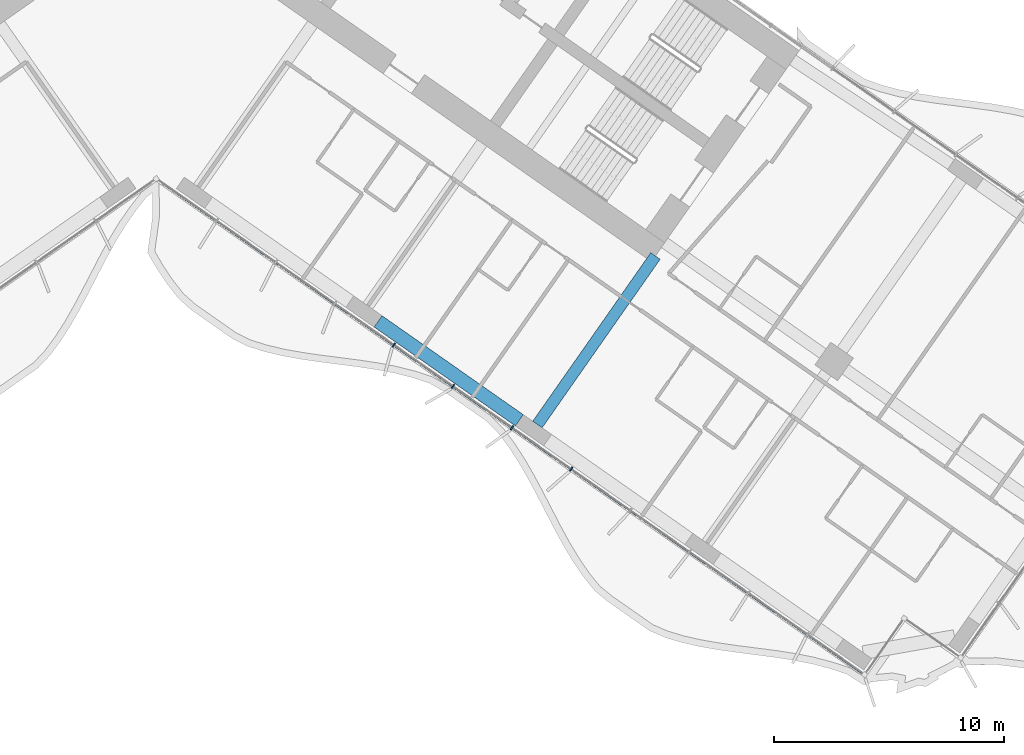
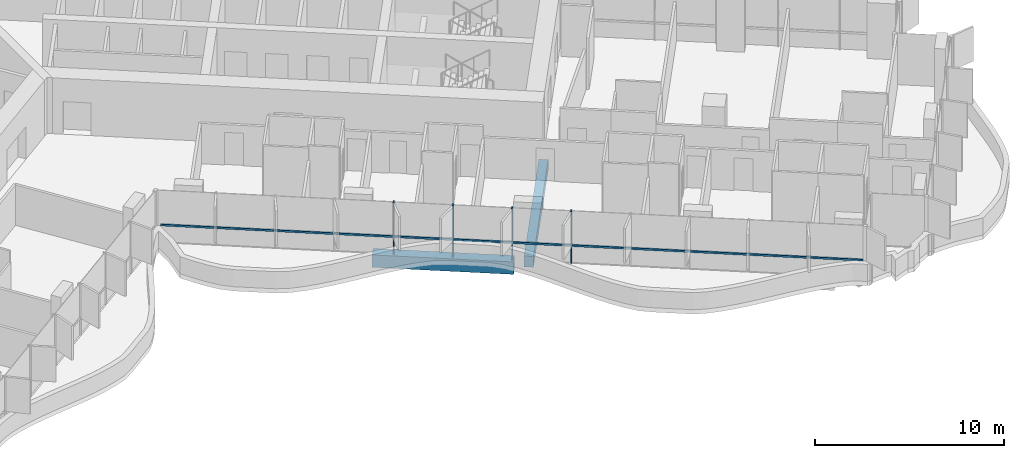
# One storey, part 5 of 24: 5 members, 2 beams, 1 element without a shape of its own.
"""IFC4 building model written with IfcOpenShell, lengths in metres."""

import ifcopenshell
import ifcopenshell.guid

model = None  # the IFC model being written
_history = None  # IfcOwnerHistory: only IFC2X3 demands one
_inside = {}  # id of a spatial element -> (the spatial element, [elements in it])
_under = {}  # id of a project, library or spatial element -> (it, [spatial elements below it])
_declared = {}  # id of a project -> (the project, [libraries it declares])
_typed = {}  # id of a type object -> (the type object, [elements of that type])
_made_of = {}  # id of a material, layer set ... -> (it, [elements and type objects made of it])


def new_model(schema):
    """Start an empty IFC model of exactly this schema.

    Asked for "IFC4X3", IfcOpenShell would pick the latest addendum, in which some entities
    have other attributes; the version numbers below select the first issue.
    IFC2X3 requires an IfcOwnerHistory on every rooted entity: one is made here for all.
    """
    global model, _history
    if schema == "IFC4X3":
        model = ifcopenshell.file(schema_version=(4, 3, 0, 0))
    else:
        model = ifcopenshell.file(schema=schema)
    _inside.clear()
    _under.clear()
    _declared.clear()
    _typed.clear()
    _made_of.clear()
    _history = None
    if model.schema == "IFC2X3":
        org = make("IfcOrganization", Name="unknown")
        user = make(
            "IfcPersonAndOrganization",
            ThePerson=make("IfcPerson", FamilyName="unknown"),
            TheOrganization=org,
        )
        app = make(
            "IfcApplication",
            ApplicationDeveloper=org,
            Version="unknown",
            ApplicationFullName="unknown",
            ApplicationIdentifier="unknown",
        )
        _history = make(
            "IfcOwnerHistory",
            OwningUser=user,
            OwningApplication=app,
            ChangeAction="ADDED",
            CreationDate=0,
        )
    return model


def make(cls, **values):
    """One entity of the class cls with the attributes given. An attribute that is None is left unset."""
    return model.create_entity(
        cls, **{name: value for name, value in values.items() if value is not None}
    )


def rooted(cls, **values):
    """An entity with a GlobalId (a new one), such as an element, a storey or a relation."""
    return make(cls, GlobalId=ifcopenshell.guid.new(), OwnerHistory=_history, **values)


def si_unit(unit_type, name, prefix=None):
    """IfcSIUnit, for example si_unit("LENGTHUNIT", "METRE", prefix="MILLI")."""
    return make("IfcSIUnit", UnitType=unit_type, Prefix=prefix, Name=name)


def assignment(units):
    """IfcUnitAssignment: the units of a project."""
    return None if units is None else make("IfcUnitAssignment", Units=units)


def point(xyz):
    """IfcCartesianPoint."""
    return None if xyz is None else make("IfcCartesianPoint", Coordinates=xyz)


def direction(xyz):
    """IfcDirection."""
    return None if xyz is None else make("IfcDirection", DirectionRatios=xyz)


def frame(location, z_axis=None, x_axis=None):
    """IfcAxis2Placement3D, a coordinate frame: its origin and axes. An axis left out is left unset."""
    return make(
        "IfcAxis2Placement3D",
        Location=point(location),
        Axis=direction(z_axis),
        RefDirection=direction(x_axis),
    )


def frame_2d(location, x_axis=None):
    """IfcAxis2Placement2D, a coordinate frame in the plane: its origin and x axis."""
    return make(
        "IfcAxis2Placement2D", Location=point(location), RefDirection=direction(x_axis)
    )


def origin():
    """The frame at (0, 0, 0) with its axes left unset."""
    return frame((0.0, 0.0, 0.0))


def origin_2d():
    """The frame at (0, 0) in the plane with its x axis left unset."""
    return frame_2d((0.0, 0.0))


def place(relative_to, where):
    """IfcLocalPlacement: puts the frame where relative to a parent placement (None: the world)."""
    return make(
        "IfcLocalPlacement", PlacementRelTo=relative_to, RelativePlacement=where
    )


def context(
    kind, dimensions, precision=None, world=None, true_north=None, identifier=None
):
    """IfcGeometricRepresentationContext, for example the 3D "Model" context."""
    return make(
        "IfcGeometricRepresentationContext",
        ContextIdentifier=identifier,
        ContextType=kind,
        CoordinateSpaceDimension=dimensions,
        Precision=precision,
        WorldCoordinateSystem=world,
        TrueNorth=true_north,
    )


def subcontext(parent, identifier, kind, view, scale=None):
    """IfcGeometricRepresentationSubContext, for example "Body" below "Model"."""
    return make(
        "IfcGeometricRepresentationSubContext",
        ContextIdentifier=identifier,
        ContextType=kind,
        ParentContext=parent,
        TargetScale=scale,
        TargetView=view,
    )


def project(units=None, contexts=None):
    """IfcProject with its units and contexts."""
    return rooted(
        "IfcProject",
        Name="project",
        RepresentationContexts=contexts,
        UnitsInContext=assignment(units),
    )


def spatial(cls, under=None, at=None, **own):
    """A site, building, storey or space (cls), placed at a placement, below another one or the project."""
    s = rooted(cls, ObjectPlacement=at, **own)
    if under is not None:
        _under.setdefault(under.id(), (under, []))[1].append(s)
    return s


def profile(cls, at=None, kind="AREA", **sizes):
    """A parametric profile (cls). Its sizes go by their IFC names, for example OverallWidth=200.0."""
    return make(cls, ProfileType=kind, Position=at, **sizes)


def rectangle(**sizes):
    """IfcRectangleProfileDef."""
    return profile("IfcRectangleProfileDef", **sizes)


def extrude(swept, where, along, depth):
    """IfcExtrudedAreaSolid: the profile swept, set in the frame where, extruded along a direction by depth."""
    return make(
        "IfcExtrudedAreaSolid",
        SweptArea=swept,
        Position=where,
        ExtrudedDirection=direction(along),
        Depth=depth,
    )


def shape(context_of_items, identifier, shape_type, items):
    """IfcShapeRepresentation: the items that make up one representation, for example the "Body"."""
    return make(
        "IfcShapeRepresentation",
        ContextOfItems=context_of_items,
        RepresentationIdentifier=identifier,
        RepresentationType=shape_type,
        Items=items,
    )


def material(Name=None, Category=None):
    """IfcMaterial."""
    return make("IfcMaterial", Name=Name, Category=Category)


def material_profile(
    of_material, cross_section, Name=None, Category=None, Priority=None
):
    """IfcMaterialProfile: a cross section and its material."""
    return make(
        "IfcMaterialProfile",
        Name=Name,
        Material=of_material,
        Profile=cross_section,
        Priority=Priority,
        Category=Category,
    )


def profile_set(profiles, Name=None, composite=None):
    """IfcMaterialProfileSet."""
    return make(
        "IfcMaterialProfileSet",
        Name=Name,
        MaterialProfiles=profiles,
        CompositeProfile=composite,
    )


def made_of(thing, what):
    """Note that an element or type object is made of a material, layer set ...; save() writes the relation."""
    if what is not None:
        _made_of.setdefault(what.id(), (what, []))[1].append(thing)
    return thing


def type_object(cls, material=None, **own):
    """A type object (cls), such as IfcWallType, which elements share."""
    return made_of(rooted(cls, **own), material)


def element(
    cls,
    number,
    at=None,
    inside=None,
    cuts=None,
    type_object=None,
    material=None,
    context=None,
    identifier="Body",
    shape_type=None,
    held_by="IfcProductDefinitionShape",
    body=None,
    shapes=None,
    **own,
):
    """One element of the class cls, such as IfcWall. Its Tag is "e" and its number.

    at: its placement. inside: the storey or other place that contains it. cuts: it is an
    opening in that element (IfcRelVoidsElement). A single representation is given by context,
    identifier, shape_type and body (its items); several are given by shapes. held_by: the class
    of the entity that holds the representations. save() writes the other relations.
    """
    e = rooted(cls, Tag="e%d" % number, ObjectPlacement=at, **own)
    if body is not None:
        shapes = [shape(context, identifier, shape_type, body)]
    if shapes is not None:
        e.Representation = make(held_by, Representations=shapes)
    if inside is not None:
        _inside.setdefault(inside.id(), (inside, []))[1].append(e)
    if cuts is not None:
        rooted(
            "IfcRelVoidsElement", RelatingBuildingElement=cuts, RelatedOpeningElement=e
        )
    if type_object is not None:
        _typed.setdefault(type_object.id(), (type_object, []))[1].append(e)
    return made_of(e, material)


def aggregate(whole, parts):
    """IfcRelAggregates: a whole, such as a stair, and the parts it consists of."""
    return rooted("IfcRelAggregates", RelatingObject=whole, RelatedObjects=parts)


def save(model, path):
    """Write the relations noted so far, then the file.

    IfcRelAggregates (storeys below a building ...), IfcRelContainedInSpatialStructure (elements
    in a storey), IfcRelDefinesByType, IfcRelAssociatesMaterial and IfcRelDeclares: one each for
    every whole, place, type object, material and project.
    """
    for whole, parts in _under.values():
        aggregate(whole, parts)
    for where, things in _inside.values():
        rooted(
            "IfcRelContainedInSpatialStructure",
            RelatedElements=things,
            RelatingStructure=where,
        )
    for kind, things in _typed.values():
        rooted("IfcRelDefinesByType", RelatedObjects=things, RelatingType=kind)
    for what, things in _made_of.values():
        rooted("IfcRelAssociatesMaterial", RelatedObjects=things, RelatingMaterial=what)
    for by, libraries in _declared.values():
        rooted("IfcRelDeclares", RelatingContext=by, RelatedDefinitions=libraries)
    model.write(path)


model = new_model("IFC4")

# Units and contexts
model_context = context("Model", 3, precision=1e-05, world=origin(), true_north=direction((0.0, 1.0)))
body_context = subcontext(model_context, "Body", "Model", "MODEL_VIEW")
ifc_project = project(units=[si_unit("LENGTHUNIT", "METRE"), si_unit("AREAUNIT", "SQUARE_METRE"), si_unit("VOLUMEUNIT", "CUBIC_METRE"), si_unit("PLANEANGLEUNIT", "RADIAN"), si_unit("MASSUNIT", "GRAM", prefix="KILO")], contexts=[model_context])

# Site, building, storey
site_placement = place(None, origin())
site = spatial("IfcSite", under=ifc_project, at=site_placement, CompositionType="ELEMENT")
building_placement = place(site_placement, origin())
building = spatial("IfcBuilding", under=site, at=building_placement, Name="Tel Ilan Convention Tower", CompositionType="ELEMENT")
storey_placement = place(building_placement, frame((0.0, 0.0, 68.89990234375)))
storey = spatial("IfcBuildingStorey", under=building, at=storey_placement, Name="L12", CompositionType="ELEMENT", Elevation=68.89990234375)

# Beams
ifc_material_1 = material(Name="Concrete C40/50", Category="concrete")
ifc_material_profile_1 = material_profile(ifc_material_1, rectangle(XDim=0.5, YDim=0.699951171875, at=origin_2d()), Name="RC 500x700")
ifc_profile_set_1 = profile_set([ifc_material_profile_1], Name="Concrete C40/50")
beam_type_1 = type_object("IfcBeamType", Name="Beam RC 500x700 Concrete C40/50", PredefinedType="BEAM", material=ifc_profile_set_1)
beam_1_placement = place(storey_placement, frame((16.58203125, -23.391357421875, -0.6298828125), z_axis=(0.573584999642, 0.819146048141, 0.0), x_axis=(-0.819146048141, 0.573584999642, 0.0)))
element("IfcBeam", 1, at=beam_1_placement, inside=storey, type_object=beam_type_1, Name="L12 beam E-E-F3-core", PredefinedType="BEAM", context=body_context, shape_type="SweptSolid", body=[
    extrude(rectangle(XDim=0.5, YDim=0.699951171875, at=origin_2d()), origin(), (0.0, 0.0, 1.0), 8.949951171875),
])
ifc_material_2 = material(Name="Concrete C40/50", Category="concrete")
ifc_material_profile_2 = material_profile(ifc_material_2, rectangle(XDim=0.60009765625, YDim=0.800048828125, at=origin_2d()), Name="RC 600x800")
ifc_profile_set_2 = profile_set([ifc_material_profile_2], Name="Concrete C40/50")
beam_type_2 = type_object("IfcBeamType", Name="Beam RC 600x800 Concrete C40/50", PredefinedType="BEAM", material=ifc_profile_set_2)
beam_2_placement = place(storey_placement, frame((9.652099609375, -18.905029296875, -0.679931640625), z_axis=(0.81915238829, -0.573575945067, 0.0), x_axis=(0.573575945067, 0.81915238829, 0.0)))
element("IfcBeam", 2, at=beam_2_placement, inside=storey, type_object=beam_type_2, Name="L12 beam E-E-F2-E-F3", PredefinedType="BEAM", context=body_context, shape_type="SweptSolid", body=[
    extrude(rectangle(XDim=0.60009765625, YDim=0.800048828125, at=origin_2d()), origin(), (0.0, 0.0, 1.0), 7.5),
])

# Curtain wall, members
ifc_material_3 = material(Name="Aluminium, bronze anodised", Category="aluminium")
curtain_wall_type = type_object("IfcCurtainWallType", Name="CW1 UNITISED CURTAIN WALL, HOTEL TINTED GLASS", PredefinedType="NOTDEFINED", material=ifc_material_3)
curtain_wall_placement = place(storey_placement, origin())
curtain_wall = element("IfcCurtainWall", 3, at=curtain_wall_placement, inside=storey, type_object=curtain_wall_type, Name="Curtain wall CW1-12.02", PredefinedType="NOTDEFINED")
ifc_material_4 = material(Name="Aluminium, bronze anodised", Category="aluminium")
ifc_material_profile_3 = material_profile(ifc_material_4, rectangle(XDim=0.06005859375, YDim=0.199951171875, at=origin_2d()), Name="CW MULLION 60x200")
ifc_profile_set_3 = profile_set([ifc_material_profile_3], Name="Aluminium, bronze anodised")
member_type_1 = type_object("IfcMemberType", Name="CW MULLION 60x200", PredefinedType="MULLION", material=ifc_profile_set_3)
member_1_placement = place(storey_placement, frame((10.337158203125, -19.93408203125, 0.0), z_axis=(0.0, 0.0, 1.0), x_axis=(0.819152044289, -0.573576436351, 0.0)))
member_1 = element("IfcMember", 4, at=member_1_placement, type_object=member_type_1, Name="Mullion", PredefinedType="MULLION", context=body_context, shape_type="SweptSolid", body=[
    extrude(rectangle(XDim=0.06005859375, YDim=0.199951171875, at=origin_2d()), origin(), (0.0, 0.0, 1.0), 3.320068359375),
])
member_2_placement = place(storey_placement, frame((12.906982421875, -21.733642578125, 0.0), z_axis=(0.0, 0.0, 1.0), x_axis=(0.819152044289, -0.573576436351, 0.0)))
member_2 = element("IfcMember", 5, at=member_2_placement, type_object=member_type_1, Name="Mullion", PredefinedType="MULLION", context=body_context, shape_type="SweptSolid", body=[
    extrude(rectangle(XDim=0.06005859375, YDim=0.199951171875, at=origin_2d()), origin(), (0.0, 0.0, 1.0), 3.320068359375),
])
member_3_placement = place(storey_placement, frame((15.47705078125, -23.533203125, 0.0), z_axis=(0.0, 0.0, 1.0), x_axis=(0.819152044289, -0.573576436351, 0.0)))
member_3 = element("IfcMember", 6, at=member_3_placement, type_object=member_type_1, Name="Mullion", PredefinedType="MULLION", context=body_context, shape_type="SweptSolid", body=[
    extrude(rectangle(XDim=0.06005859375, YDim=0.199951171875, at=origin_2d()), origin(), (0.0, 0.0, 1.0), 3.320068359375),
])
member_4_placement = place(storey_placement, frame((18.046875, -25.332763671875, 0.0), z_axis=(0.0, 0.0, 1.0), x_axis=(0.819152044289, -0.573576436351, 0.0)))
member_4 = element("IfcMember", 7, at=member_4_placement, type_object=member_type_1, Name="Mullion", PredefinedType="MULLION", context=body_context, shape_type="SweptSolid", body=[
    extrude(rectangle(XDim=0.06005859375, YDim=0.199951171875, at=origin_2d()), origin(), (0.0, 0.0, 1.0), 3.320068359375),
])
ifc_material_5 = material(Name="Aluminium, bronze anodised", Category="aluminium")
ifc_material_profile_4 = material_profile(ifc_material_5, rectangle(XDim=0.10009765625, YDim=0.1201171875, at=origin_2d()), Name="CW TRANSOM 100x120")
ifc_profile_set_4 = profile_set([ifc_material_profile_4], Name="Aluminium, bronze anodised")
member_type_2 = type_object("IfcMemberType", Name="CW TRANSOM 100x120", PredefinedType="USERDEFINED", material=ifc_profile_set_4)
member_5_placement = place(storey_placement, frame((0.22119140625, -12.850830078125, 1.10009765625), z_axis=(0.819152467103, -0.57357583251, 0.0), x_axis=(0.57357583251, 0.819152467103, 0.0)))
member_5 = element("IfcMember", 8, at=member_5_placement, type_object=member_type_2, Name="Transom", ObjectType="TRANSOM", PredefinedType="USERDEFINED", context=body_context, shape_type="SweptSolid", body=[
    extrude(rectangle(XDim=0.10009765625, YDim=0.1201171875, at=origin_2d()), origin(), (0.0, 0.0, 1.0), 37.247802734375),
])
aggregate(curtain_wall, [member_1, member_2, member_3, member_4, member_5])

save(model, "model.ifc")
